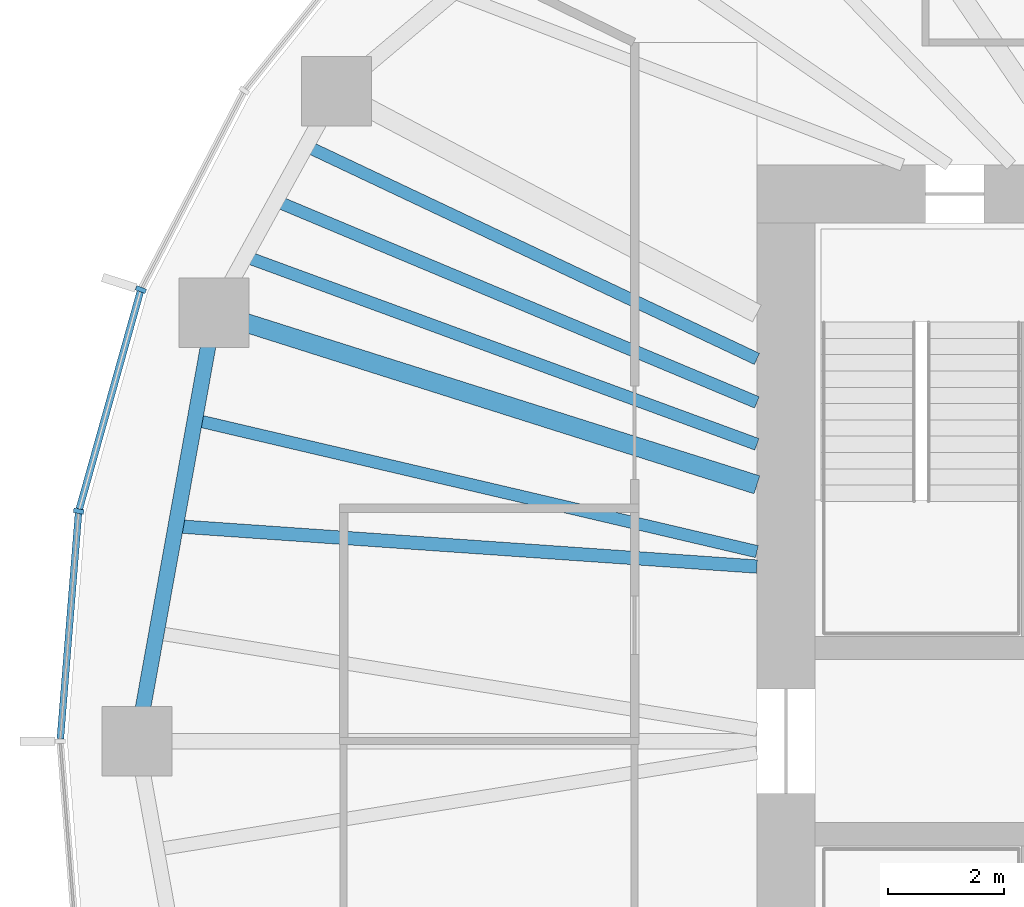
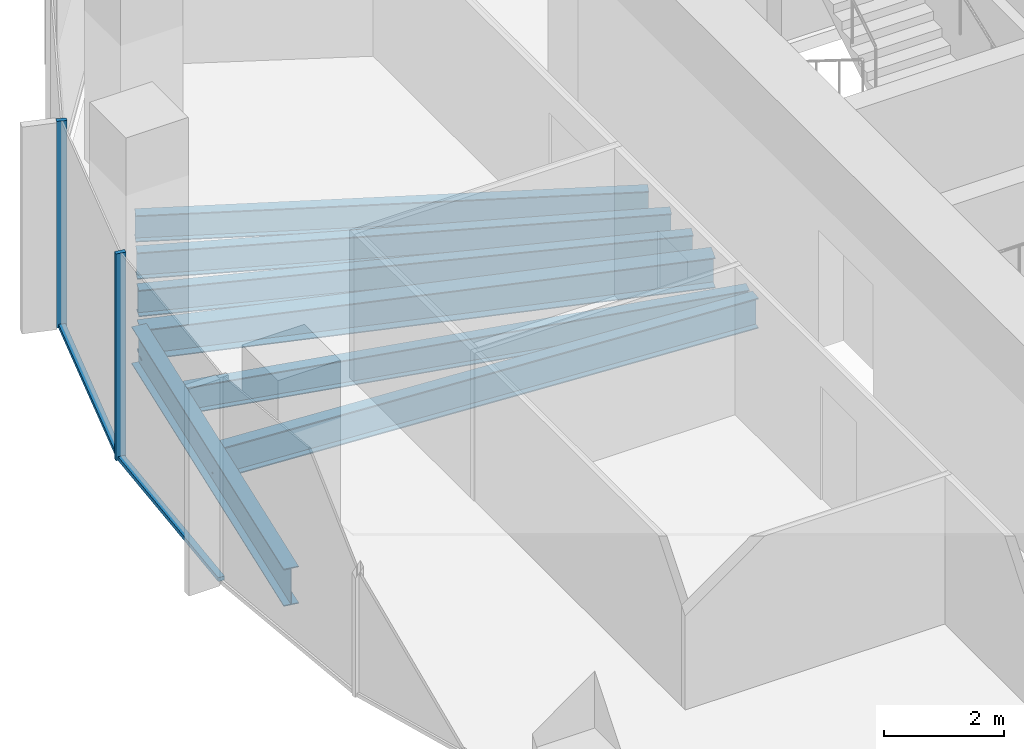
# One storey, part 3 of 11: 7 beams, 4 members, 1 element without a shape of its own.
"""IFC4 building model written with IfcOpenShell, lengths in metres."""

from ifc_helpers import new_model, si_unit, direction, frame, origin, origin_2d, place, context, subcontext, project, spatial, rectangle, i_section, extrude, material, material_profile, profile_set, type_object, element, aggregate, save


model = new_model("IFC4")

# Units and contexts
model_context = context("Model", 3, precision=1e-05, world=origin(), true_north=direction((0.0, 1.0)))
body_context = subcontext(model_context, "Body", "Model", "MODEL_VIEW")
ifc_project = project(units=[si_unit("LENGTHUNIT", "METRE"), si_unit("AREAUNIT", "SQUARE_METRE"), si_unit("VOLUMEUNIT", "CUBIC_METRE"), si_unit("PLANEANGLEUNIT", "RADIAN"), si_unit("MASSUNIT", "GRAM", prefix="KILO")], contexts=[model_context])

# Site, building, storey
site_placement = place(None, origin())
site = spatial("IfcSite", under=ifc_project, at=site_placement, CompositionType="ELEMENT")
building_placement = place(site_placement, origin())
building = spatial("IfcBuilding", under=site, at=building_placement, Name="Ghaith Harvest Tower", CompositionType="ELEMENT")
storey_placement = place(building_placement, frame((0.0, 0.0, 275.39990234375)))
storey = spatial("IfcBuildingStorey", under=building, at=storey_placement, Name="L61", CompositionType="ELEMENT", Elevation=275.39990234375)

# Curtain wall, members
ifc_material_1 = material(Name="Black anodised aluminium and fritted glass", Category="aluminium")
curtain_wall_type = type_object("IfcCurtainWallType", Name="CW-T CURTAIN WALL", PredefinedType="NOTDEFINED", material=ifc_material_1)
curtain_wall_placement = place(storey_placement, origin())
curtain_wall = element("IfcCurtainWall", 1, at=curtain_wall_placement, inside=storey, type_object=curtain_wall_type, Name="Curtain wall CW-T bay 10 L61", PredefinedType="NOTDEFINED")
ifc_material_2 = material(Name="Aluminium, black anodised", Category="aluminium")
ifc_material_profile_1 = material_profile(ifc_material_2, rectangle(XDim=0.080078125, YDim=0.179931640625, at=origin_2d()), Name="CW-T MULLION 80x180")
ifc_profile_set_1 = profile_set([ifc_material_profile_1], Name="Aluminium, black anodised")
member_type_1 = type_object("IfcMemberType", Name="CW-T MULLION 80x180", PredefinedType="MULLION", material=ifc_profile_set_1)
member_1_placement = place(storey_placement, frame((-24.482666015625, 7.759033203125, 0.0), z_axis=(0.0, 0.0, 1.0), x_axis=(-0.366473104961, -0.930428644948, 0.0)))
member_1 = element("IfcMember", 2, at=member_1_placement, type_object=member_type_1, Name="CW-T mullion 1 bay 10 L61", PredefinedType="MULLION", context=body_context, shape_type="SweptSolid", body=[
    extrude(rectangle(XDim=0.080078125, YDim=0.179931640625, at=origin_2d()), origin(), (0.0, 0.0, 1.0), 4.2001953125),
])
member_2_placement = place(storey_placement, frame((-25.5517578125, 3.9521484375, 0.0), z_axis=(0.0, 0.0, 1.0), x_axis=(-0.176001390642, -0.984389917915, 0.0)))
member_2 = element("IfcMember", 3, at=member_2_placement, type_object=member_type_1, Name="CW-T mullion 2 bay 10 L61", PredefinedType="MULLION", context=body_context, shape_type="SweptSolid", body=[
    extrude(rectangle(XDim=0.080078125, YDim=0.179931640625, at=origin_2d()), origin(), (0.0, 0.0, 1.0), 4.2001953125),
])
ifc_material_3 = material(Name="Aluminium, black anodised", Category="aluminium")
ifc_material_profile_2 = material_profile(ifc_material_3, rectangle(XDim=0.1201171875, YDim=0.080078125, at=origin_2d()), Name="CW-T TRANSOM 120x80")
ifc_profile_set_2 = profile_set([ifc_material_profile_2], Name="Aluminium, black anodised")
member_type_2 = type_object("IfcMemberType", Name="CW-T TRANSOM 120x80", PredefinedType="USERDEFINED", material=ifc_profile_set_2)
member_3_placement = place(storey_placement, frame((-24.49365234375, 7.720458984375, 0.0400390625), z_axis=(-0.270340422972, -0.962764797709, 0.0), x_axis=(0.962764797709, -0.270340422972, 0.0)))
member_3 = element("IfcMember", 4, at=member_3_placement, type_object=member_type_2, Name="CW-T transom 1 bay 10 L61", ObjectType="TRANSOM", PredefinedType="USERDEFINED", context=body_context, shape_type="SweptSolid", body=[
    extrude(rectangle(XDim=0.1201171875, YDim=0.080078125, at=origin_2d()), origin(), (0.0, 0.0, 1.0), 3.874267578125),
])
member_4_placement = place(storey_placement, frame((-25.554931640625, 3.912109375, 0.0400390625), z_axis=(-0.08025226314, -0.996774585481, 0.0), x_axis=(0.996774585481, -0.08025226314, 0.0)))
member_4 = element("IfcMember", 5, at=member_4_placement, type_object=member_type_2, Name="CW-T transom 2 bay 10 L61", ObjectType="TRANSOM", PredefinedType="USERDEFINED", context=body_context, shape_type="SweptSolid", body=[
    extrude(rectangle(XDim=0.1201171875, YDim=0.080078125, at=origin_2d()), origin(), (0.0, 0.0, 1.0), 3.884765625),
])
aggregate(curtain_wall, [member_1, member_3, member_2, member_4])

# Beams
ifc_material_4 = material(Name="Steel ASTM A992 Grade 50", Category="steel")
ifc_material_profile_3 = material_profile(ifc_material_4, i_section(OverallWidth=0.26611328125, OverallDepth=0.758056640625, WebThickness=0.013916015625, FlangeThickness=0.019287109375, at=origin_2d()), Name="W760X161")
ifc_profile_set_3 = profile_set([ifc_material_profile_3], Name="Steel ASTM A992 Grade 50")
beam_type_1 = type_object("IfcBeamType", Name="E760-161 W760X161", PredefinedType="SPANDREL", material=ifc_profile_set_3)
beam_1_placement = place(storey_placement, frame((-23.22412109375, 7.360107421875, -0.548828125), z_axis=(-0.177296554745, -0.984157473007, 0.0), x_axis=(0.984157473007, -0.177296554745, 0.0)))
element("IfcBeam", 6, at=beam_1_placement, inside=storey, type_object=beam_type_1, Name="Edge beam E10 L61", PredefinedType="SPANDREL", context=body_context, shape_type="SweptSolid", body=[
    extrude(i_section(OverallWidth=0.26611328125, OverallDepth=0.758056640625, WebThickness=0.013916015625, FlangeThickness=0.019287109375, at=origin_2d()), origin(), (0.0, 0.0, 1.0), 7.478515625),
])
ifc_material_5 = material(Name="Steel ASTM A992 Grade 50", Category="steel")
ifc_material_profile_4 = material_profile(ifc_material_5, i_section(OverallWidth=0.323974609375, OverallDepth=0.611083984375, WebThickness=0.0126953125, FlangeThickness=0.01904296875, at=origin_2d()), Name="W610X155")
ifc_profile_set_4 = profile_set([ifc_material_profile_4], Name="Steel ASTM A992 Grade 50")
beam_type_2 = type_object("IfcBeamType", Name="G610-155 W610X155", PredefinedType="BEAM", material=ifc_profile_set_4)
beam_2_placement = place(storey_placement, frame((-13.89990234375, 4.4052734375, -0.475341796875), z_axis=(-0.953278508772, 0.302092841215, 0.0), x_axis=(-0.302092841215, -0.953278508772, 0.0)))
element("IfcBeam", 7, at=beam_2_placement, inside=storey, type_object=beam_type_2, Name="Radial girder G10 L61", PredefinedType="BEAM", context=body_context, shape_type="SweptSolid", body=[
    extrude(i_section(OverallWidth=0.323974609375, OverallDepth=0.611083984375, WebThickness=0.0126953125, FlangeThickness=0.01904296875, at=origin_2d()), origin(), (0.0, 0.0, 1.0), 9.78125),
])
ifc_material_6 = material(Name="Steel ASTM A992 Grade 50", Category="steel")
ifc_material_profile_5 = material_profile(ifc_material_6, i_section(OverallWidth=0.2109375, OverallDepth=0.5390625, WebThickness=0.01171875, FlangeThickness=0.018798828125, at=origin_2d()), Name="W530X109")
ifc_profile_set_5 = profile_set([ifc_material_profile_5], Name="Steel ASTM A992 Grade 50")
beam_type_3 = type_object("IfcBeamType", Name="J530-109 W530X109", PredefinedType="JOIST", material=ifc_profile_set_5)
beam_3_placement = place(storey_placement, frame((-13.89990234375, 6.56787109375, -0.439453125), z_axis=(-0.904165769726, 0.427181765594, 0.0), x_axis=(-0.427181765594, -0.904165769726, 0.0)))
element("IfcBeam", 8, at=beam_3_placement, inside=storey, type_object=beam_type_3, Name="Joist J09.1 L61", PredefinedType="JOIST", context=body_context, shape_type="SweptSolid", body=[
    extrude(i_section(OverallWidth=0.2109375, OverallDepth=0.5390625, WebThickness=0.01171875, FlangeThickness=0.018798828125, at=origin_2d()), origin(), (0.0, 0.0, 1.0), 8.564208984375),
])
beam_4_placement = place(storey_placement, frame((-13.89990234375, 5.82080078125, -0.439453125), z_axis=(-0.922394258818, 0.38624970071, 0.0), x_axis=(-0.38624970071, -0.922394258818, 0.0)))
element("IfcBeam", 9, at=beam_4_placement, inside=storey, type_object=beam_type_3, Name="Joist J09.2 L61", PredefinedType="JOIST", context=body_context, shape_type="SweptSolid", body=[
    extrude(i_section(OverallWidth=0.2109375, OverallDepth=0.5390625, WebThickness=0.01171875, FlangeThickness=0.018798828125, at=origin_2d()), origin(), (0.0, 0.0, 1.0), 8.959716796875),
])
beam_5_placement = place(storey_placement, frame((-13.89990234375, 5.101318359375, -0.439453125), z_axis=(-0.938776837502, 0.34452583266, 0.0), x_axis=(-0.34452583266, -0.938776837502, 0.0)))
element("IfcBeam", 10, at=beam_5_placement, inside=storey, type_object=beam_type_3, Name="Joist J09.3 L61", PredefinedType="JOIST", context=body_context, shape_type="SweptSolid", body=[
    extrude(i_section(OverallWidth=0.2109375, OverallDepth=0.5390625, WebThickness=0.01171875, FlangeThickness=0.018798828125, at=origin_2d()), origin(), (0.0, 0.0, 1.0), 9.36376953125),
])
beam_6_placement = place(storey_placement, frame((-13.89990234375, 3.257080078125, -0.439453125), z_axis=(-0.973623403271, 0.228161058472, 0.0), x_axis=(-0.228161058472, -0.973623403271, 0.0)))
element("IfcBeam", 11, at=beam_6_placement, inside=storey, type_object=beam_type_3, Name="Joist J10.1 L61", PredefinedType="JOIST", context=body_context, shape_type="SweptSolid", body=[
    extrude(i_section(OverallWidth=0.2109375, OverallDepth=0.5390625, WebThickness=0.01171875, FlangeThickness=0.018798828125, at=origin_2d()), origin(), (0.0, 0.0, 1.0), 9.9169921875),
])
ifc_material_7 = material(Name="Steel ASTM A992 Grade 50", Category="steel")
ifc_material_profile_6 = material_profile(ifc_material_7, i_section(OverallWidth=0.22998046875, OverallDepth=0.616943359375, WebThickness=0.01318359375, FlangeThickness=0.022216796875, at=origin_2d()), Name="W610X140")
ifc_profile_set_6 = profile_set([ifc_material_profile_6], Name="Steel ASTM A992 Grade 50")
beam_type_4 = type_object("IfcBeamType", Name="J610-140 W610X140", PredefinedType="JOIST", material=ifc_profile_set_6)
beam_7_placement = place(storey_placement, frame((-13.89990234375, 3.0, -0.478515625), z_axis=(-0.997592478057, 0.069348739886, 0.0), x_axis=(-0.069348739886, -0.997592478057, 0.0)))
element("IfcBeam", 12, at=beam_7_placement, inside=storey, type_object=beam_type_4, Name="Joist J10.2 L61", PredefinedType="JOIST", context=body_context, shape_type="SweptSolid", body=[
    extrude(i_section(OverallWidth=0.22998046875, OverallDepth=0.616943359375, WebThickness=0.01318359375, FlangeThickness=0.022216796875, at=origin_2d()), origin(), (0.0, 0.0, 1.0), 10.0087890625),
])

save(model, "model.ifc")
